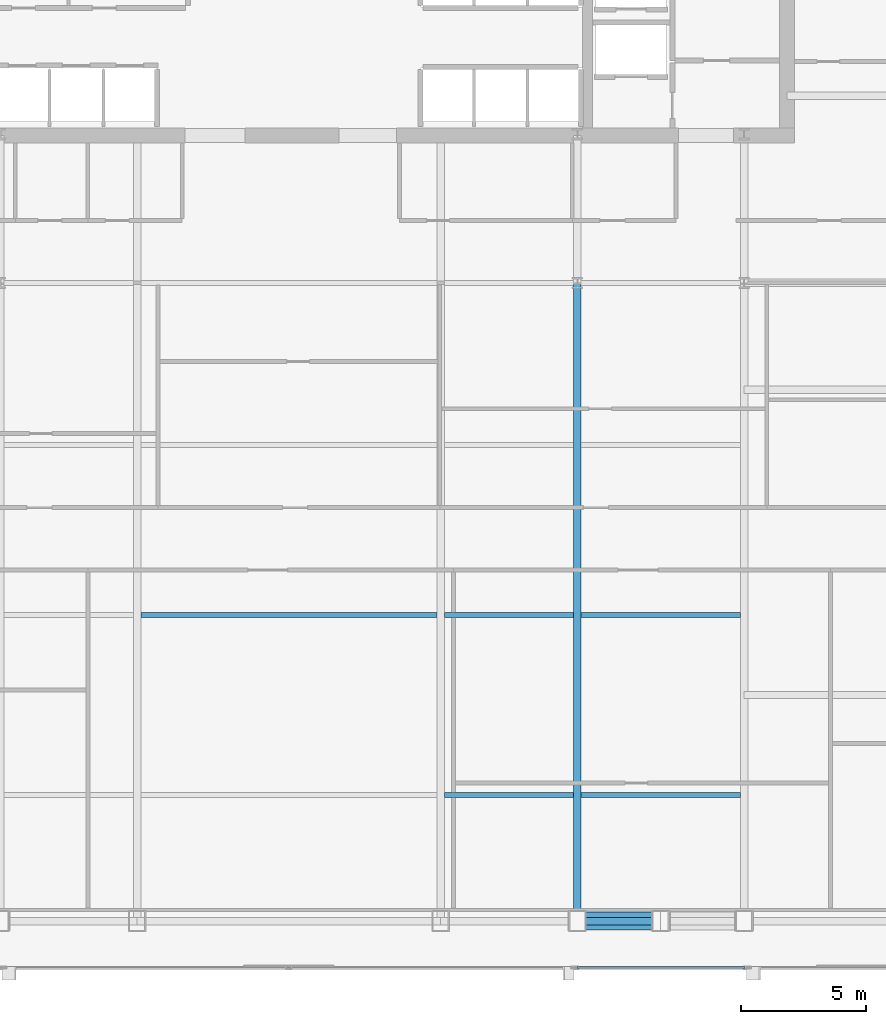
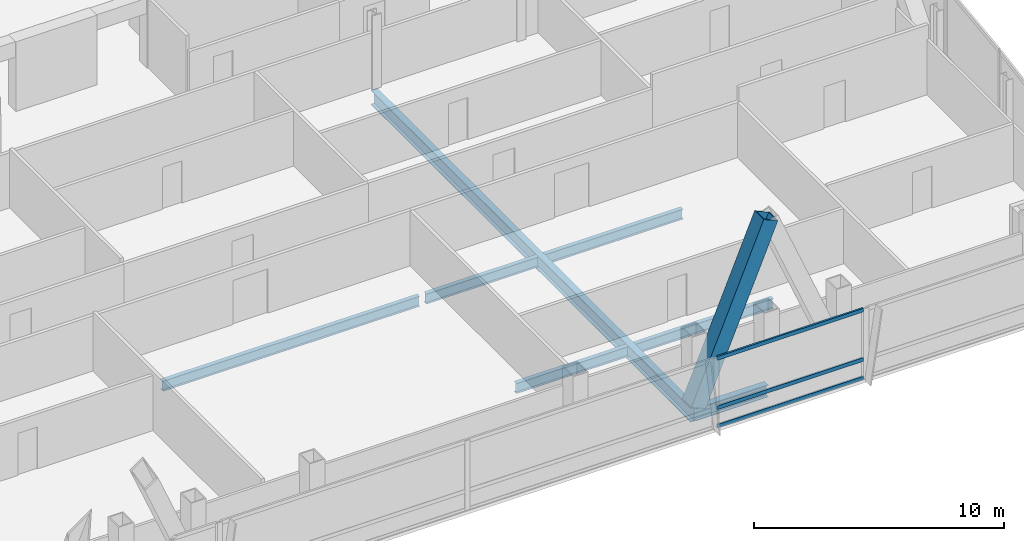
# One storey, part 14 of 29: 7 beams, 4 members, 1 element without a shape of its own.
"""IFC4 building model written with IfcOpenShell, lengths in metres."""

from ifc_helpers import new_model, si_unit, direction, frame, origin, origin_2d, place, context, subcontext, project, spatial, hollow_rectangle, i_section, extrude, material, material_profile, profile_set, type_object, element, aggregate, save


model = new_model("IFC4")

# Units and contexts
model_context = context("Model", 3, precision=1e-05, world=origin(), true_north=direction((0.0, 1.0)))
body_context = subcontext(model_context, "Body", "Model", "MODEL_VIEW")
ifc_project = project(units=[si_unit("LENGTHUNIT", "METRE"), si_unit("AREAUNIT", "SQUARE_METRE"), si_unit("VOLUMEUNIT", "CUBIC_METRE"), si_unit("PLANEANGLEUNIT", "RADIAN"), si_unit("MASSUNIT", "GRAM", prefix="KILO")], contexts=[model_context])

# Site, building, storey
site_placement = place(None, origin())
site = spatial("IfcSite", under=ifc_project, at=site_placement, CompositionType="ELEMENT")
building_placement = place(site_placement, origin())
building = spatial("IfcBuilding", under=site, at=building_placement, Name="Khoronbel Lancet Exchange", CompositionType="ELEMENT")
storey_placement = place(building_placement, frame((0.0, 0.0, 180.60009765625)))
storey = spatial("IfcBuildingStorey", under=building, at=storey_placement, Name="L45", CompositionType="ELEMENT", Elevation=180.60009765625)

# Beams
ifc_material_1 = material(Name="Steel S355", Category="steel")
ifc_material_profile_1 = material_profile(ifc_material_1, i_section(OverallWidth=0.300048828125, OverallDepth=0.699951171875, WebThickness=0.01708984375, FlangeThickness=0.031982421875, at=origin_2d()), Name="HEB 700")
ifc_profile_set_1 = profile_set([ifc_material_profile_1], Name="Steel S355")
beam_type_1 = type_object("IfcBeamType", Name="BM-BG3", PredefinedType="BEAM", material=ifc_profile_set_1)
beam_1_placement = place(storey_placement, frame((48.0, 10.14990234375, -0.510009765625), z_axis=(0.0, 1.0, 0.0), x_axis=(-1.0, 0.0, 0.0)))
element("IfcBeam", 1, at=beam_1_placement, inside=storey, type_object=beam_type_1, Name="Level L45 south primary girder GS5", PredefinedType="BEAM", context=body_context, shape_type="SweptSolid", body=[
    extrude(i_section(OverallWidth=0.300048828125, OverallDepth=0.699951171875, WebThickness=0.01708984375, FlangeThickness=0.031982421875, at=origin_2d()), origin(), (0.0, 0.0, 1.0), 25.550048828125),
])
ifc_material_profile_2 = material_profile(ifc_material_1, i_section(OverallWidth=0.199951171875, OverallDepth=0.5, WebThickness=0.01025390625, FlangeThickness=0.01611328125, at=origin_2d()), Name="IPE 500")
ifc_profile_set_2 = profile_set([ifc_material_profile_2], Name="Steel S355")
beam_type_2 = type_object("IfcBeamType", Name="BM-BJ3", PredefinedType="JOIST", material=ifc_profile_set_2)
beam_2_placement = place(storey_placement, frame((42.675048828125, 15.199951171875, -0.41015625), z_axis=(1.0, 0.0, 0.0), x_axis=(0.0, 1.0, 0.0)))
element("IfcBeam", 2, at=beam_2_placement, inside=storey, type_object=beam_type_2, Name="Level L45 secondary composite joist J04", PredefinedType="JOIST", context=body_context, shape_type="SweptSolid", body=[
    extrude(i_section(OverallWidth=0.199951171875, OverallDepth=0.5, WebThickness=0.01025390625, FlangeThickness=0.01611328125, at=origin_2d()), origin(), (0.0, 0.0, 1.0), 5.175048828125),
])
beam_3_placement = place(storey_placement, frame((48.14990234375, 15.199951171875, -0.41015625), z_axis=(1.0, 0.0, 0.0), x_axis=(0.0, 1.0, 0.0)))
element("IfcBeam", 3, at=beam_3_placement, inside=storey, type_object=beam_type_2, Name="Level L45 secondary composite joist J05", PredefinedType="JOIST", context=body_context, shape_type="SweptSolid", body=[
    extrude(i_section(OverallWidth=0.199951171875, OverallDepth=0.5, WebThickness=0.01025390625, FlangeThickness=0.01611328125, at=origin_2d()), origin(), (0.0, 0.0, 1.0), 6.375),
])
beam_4_placement = place(storey_placement, frame((30.52490234375, 22.39990234375, -0.41015625), z_axis=(1.0, 0.0, 0.0), x_axis=(0.0, 1.0, 0.0)))
element("IfcBeam", 4, at=beam_4_placement, inside=storey, type_object=beam_type_2, Name="Level L45 secondary composite joist J08", PredefinedType="JOIST", context=body_context, shape_type="SweptSolid", body=[
    extrude(i_section(OverallWidth=0.199951171875, OverallDepth=0.5, WebThickness=0.01025390625, FlangeThickness=0.01611328125, at=origin_2d()), origin(), (0.0, 0.0, 1.0), 11.85009765625),
])
beam_5_placement = place(storey_placement, frame((42.675048828125, 22.39990234375, -0.41015625), z_axis=(1.0, 0.0, 0.0), x_axis=(0.0, 1.0, 0.0)))
element("IfcBeam", 5, at=beam_5_placement, inside=storey, type_object=beam_type_2, Name="Level L45 secondary composite joist J09", PredefinedType="JOIST", context=body_context, shape_type="SweptSolid", body=[
    extrude(i_section(OverallWidth=0.199951171875, OverallDepth=0.5, WebThickness=0.01025390625, FlangeThickness=0.01611328125, at=origin_2d()), origin(), (0.0, 0.0, 1.0), 5.175048828125),
])
beam_6_placement = place(storey_placement, frame((48.14990234375, 22.39990234375, -0.41015625), z_axis=(1.0, 0.0, 0.0), x_axis=(0.0, 1.0, 0.0)))
element("IfcBeam", 6, at=beam_6_placement, inside=storey, type_object=beam_type_2, Name="Level L45 secondary composite joist J10", PredefinedType="JOIST", context=body_context, shape_type="SweptSolid", body=[
    extrude(i_section(OverallWidth=0.199951171875, OverallDepth=0.5, WebThickness=0.01025390625, FlangeThickness=0.01611328125, at=origin_2d()), origin(), (0.0, 0.0, 1.0), 6.375),
])
ifc_material_profile_3 = material_profile(ifc_material_1, i_section(OverallWidth=0.300048828125, OverallDepth=0.60009765625, WebThickness=0.015380859375, FlangeThickness=0.030029296875, at=origin_2d()), Name="HEB 600")
ifc_profile_set_3 = profile_set([ifc_material_profile_3], Name="Steel S355")
beam_type_3 = type_object("IfcBeamType", Name="BM-BSP2", PredefinedType="SPANDREL", material=ifc_profile_set_3)
beam_7_placement = place(storey_placement, frame((48.0, 10.14990234375, -0.460205078125), z_axis=(1.0, 0.0, 0.0), x_axis=(0.0, 1.0, 0.0)))
element("IfcBeam", 7, at=beam_7_placement, inside=storey, type_object=beam_type_3, Name="Level L45 perimeter spandrel beam SP07", PredefinedType="SPANDREL", context=body_context, shape_type="SweptSolid", body=[
    extrude(i_section(OverallWidth=0.300048828125, OverallDepth=0.60009765625, WebThickness=0.015380859375, FlangeThickness=0.030029296875, at=origin_2d()), origin(), (0.0, 0.0, 1.0), 3.33740234375),
])

# Curtain wall, members
ifc_material_2 = material(Name="Low-E Solar Control Insulating Glass", Category="glass")
curtain_wall_type = type_object("IfcCurtainWallType", Name="CW-3", PredefinedType="NOTDEFINED", material=ifc_material_2)
curtain_wall_placement = place(storey_placement, origin())
curtain_wall = element("IfcCurtainWall", 8, at=curtain_wall_placement, inside=storey, type_object=curtain_wall_type, Name="Unitised curtain wall CW-L45-SEB", PredefinedType="NOTDEFINED")
ifc_material_3 = material(Name="Bronze-Anodised Aluminium 6063-T6", Category="aluminium")
ifc_material_profile_4 = material_profile(ifc_material_3, hollow_rectangle(XDim=0.0849609375, YDim=0.179931640625, WallThickness=0.0048828125, at=origin_2d()), Name="ALU TRANSOM 85x180")
ifc_profile_set_4 = profile_set([ifc_material_profile_4], Name="Bronze-Anodised Aluminium 6063-T6")
member_type_1 = type_object("IfcMemberType", Name="MEM-CWT1", PredefinedType="USERDEFINED", material=ifc_profile_set_4)
member_1_placement = place(storey_placement, frame((47.985107421875, 8.2900390625, 0.04248046875), z_axis=(1.0, 0.0, 0.0), x_axis=(0.0, 1.0, 0.0)))
member_1 = element("IfcMember", 9, at=member_1_placement, type_object=member_type_1, Name="CW3 transom 1.1", ObjectType="TRANSOM", PredefinedType="USERDEFINED", context=body_context, shape_type="SweptSolid", body=[
    extrude(hollow_rectangle(XDim=0.0849609375, YDim=0.179931640625, WallThickness=0.0048828125, at=origin_2d()), origin(), (0.0, 0.0, 1.0), 6.72998046875),
])
member_2_placement = place(storey_placement, frame((47.985107421875, 8.2900390625, 0.949951171875), z_axis=(1.0, 0.0, 0.0), x_axis=(0.0, 1.0, 0.0)))
member_2 = element("IfcMember", 10, at=member_2_placement, type_object=member_type_1, Name="CW3 transom 1.2", ObjectType="TRANSOM", PredefinedType="USERDEFINED", context=body_context, shape_type="SweptSolid", body=[
    extrude(hollow_rectangle(XDim=0.0849609375, YDim=0.179931640625, WallThickness=0.0048828125, at=origin_2d()), origin(), (0.0, 0.0, 1.0), 6.72998046875),
])
member_3_placement = place(storey_placement, frame((47.985107421875, 8.2900390625, 3.357421875), z_axis=(1.0, 0.0, 0.0), x_axis=(0.0, 1.0, 0.0)))
member_3 = element("IfcMember", 11, at=member_3_placement, type_object=member_type_1, Name="CW3 transom 1.3", ObjectType="TRANSOM", PredefinedType="USERDEFINED", context=body_context, shape_type="SweptSolid", body=[
    extrude(hollow_rectangle(XDim=0.0849609375, YDim=0.179931640625, WallThickness=0.0048828125, at=origin_2d()), origin(), (0.0, 0.0, 1.0), 6.72998046875),
])
aggregate(curtain_wall, [member_1, member_2, member_3])

# Member
ifc_material_4 = material(Name="Steel S460", Category="steel")
ifc_material_profile_5 = material_profile(ifc_material_4, hollow_rectangle(XDim=0.719970703125, YDim=0.719970703125, WallThickness=0.050048828125, at=origin_2d()), Name="BOX 720x720x50")
ifc_profile_set_5 = profile_set([ifc_material_profile_5], Name="Steel S460")
member_type_2 = type_object("IfcMemberType", Name="MEM-MB2", PredefinedType="BRACE", material=ifc_profile_set_5)
member_4_placement = place(storey_placement, frame((48.0, 10.14990234375, 0.0), z_axis=(0.385015324606, 0.0, 0.922910179713), x_axis=(0.0, 1.0, 0.0)))
element("IfcMember", 12, at=member_4_placement, inside=storey, type_object=member_type_2, Name="Perimeter lancet brace tier 15 S-E-L", PredefinedType="BRACE", context=body_context, shape_type="SweptSolid", body=[
    extrude(hollow_rectangle(XDim=0.719970703125, YDim=0.719970703125, WallThickness=0.050048828125, at=origin_2d()), origin(), (0.0, 0.0, 1.0), 8.668212890625),
])

save(model, "model.ifc")
